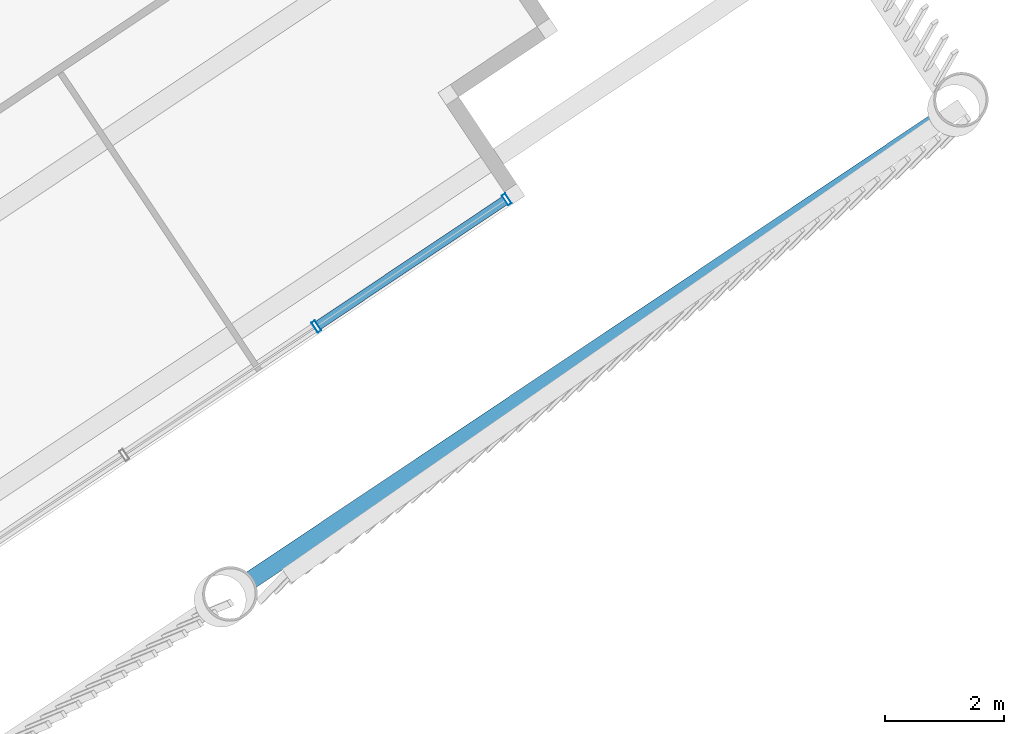
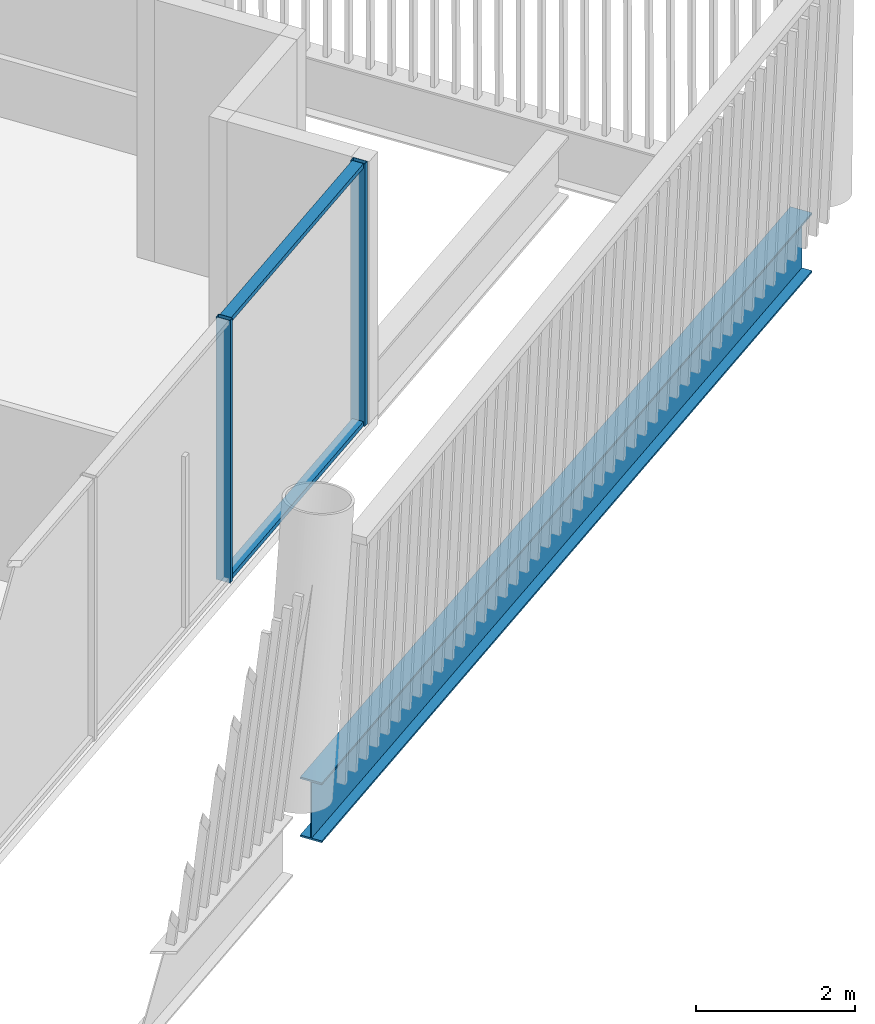
# One storey, part 15 of 28: 4 members, 1 beam, 1 element without a shape of its own.
"""IFC4 building model written with IfcOpenShell, lengths in metres."""

import ifcopenshell
import ifcopenshell.guid

model = None  # the IFC model being written
_history = None  # IfcOwnerHistory: only IFC2X3 demands one
_inside = {}  # id of a spatial element -> (the spatial element, [elements in it])
_under = {}  # id of a project, library or spatial element -> (it, [spatial elements below it])
_declared = {}  # id of a project -> (the project, [libraries it declares])
_typed = {}  # id of a type object -> (the type object, [elements of that type])
_made_of = {}  # id of a material, layer set ... -> (it, [elements and type objects made of it])


def new_model(schema):
    """Start an empty IFC model of exactly this schema.

    Asked for "IFC4X3", IfcOpenShell would pick the latest addendum, in which some entities
    have other attributes; the version numbers below select the first issue.
    IFC2X3 requires an IfcOwnerHistory on every rooted entity: one is made here for all.
    """
    global model, _history
    if schema == "IFC4X3":
        model = ifcopenshell.file(schema_version=(4, 3, 0, 0))
    else:
        model = ifcopenshell.file(schema=schema)
    _inside.clear()
    _under.clear()
    _declared.clear()
    _typed.clear()
    _made_of.clear()
    _history = None
    if model.schema == "IFC2X3":
        org = make("IfcOrganization", Name="unknown")
        user = make(
            "IfcPersonAndOrganization",
            ThePerson=make("IfcPerson", FamilyName="unknown"),
            TheOrganization=org,
        )
        app = make(
            "IfcApplication",
            ApplicationDeveloper=org,
            Version="unknown",
            ApplicationFullName="unknown",
            ApplicationIdentifier="unknown",
        )
        _history = make(
            "IfcOwnerHistory",
            OwningUser=user,
            OwningApplication=app,
            ChangeAction="ADDED",
            CreationDate=0,
        )
    return model


def make(cls, **values):
    """One entity of the class cls with the attributes given. An attribute that is None is left unset."""
    return model.create_entity(
        cls, **{name: value for name, value in values.items() if value is not None}
    )


def rooted(cls, **values):
    """An entity with a GlobalId (a new one), such as an element, a storey or a relation."""
    return make(cls, GlobalId=ifcopenshell.guid.new(), OwnerHistory=_history, **values)


def si_unit(unit_type, name, prefix=None):
    """IfcSIUnit, for example si_unit("LENGTHUNIT", "METRE", prefix="MILLI")."""
    return make("IfcSIUnit", UnitType=unit_type, Prefix=prefix, Name=name)


def assignment(units):
    """IfcUnitAssignment: the units of a project."""
    return None if units is None else make("IfcUnitAssignment", Units=units)


def point(xyz):
    """IfcCartesianPoint."""
    return None if xyz is None else make("IfcCartesianPoint", Coordinates=xyz)


def direction(xyz):
    """IfcDirection."""
    return None if xyz is None else make("IfcDirection", DirectionRatios=xyz)


def frame(location, z_axis=None, x_axis=None):
    """IfcAxis2Placement3D, a coordinate frame: its origin and axes. An axis left out is left unset."""
    return make(
        "IfcAxis2Placement3D",
        Location=point(location),
        Axis=direction(z_axis),
        RefDirection=direction(x_axis),
    )


def frame_2d(location, x_axis=None):
    """IfcAxis2Placement2D, a coordinate frame in the plane: its origin and x axis."""
    return make(
        "IfcAxis2Placement2D", Location=point(location), RefDirection=direction(x_axis)
    )


def origin():
    """The frame at (0, 0, 0) with its axes left unset."""
    return frame((0.0, 0.0, 0.0))


def origin_2d():
    """The frame at (0, 0) in the plane with its x axis left unset."""
    return frame_2d((0.0, 0.0))


def place(relative_to, where):
    """IfcLocalPlacement: puts the frame where relative to a parent placement (None: the world)."""
    return make(
        "IfcLocalPlacement", PlacementRelTo=relative_to, RelativePlacement=where
    )


def context(
    kind, dimensions, precision=None, world=None, true_north=None, identifier=None
):
    """IfcGeometricRepresentationContext, for example the 3D "Model" context."""
    return make(
        "IfcGeometricRepresentationContext",
        ContextIdentifier=identifier,
        ContextType=kind,
        CoordinateSpaceDimension=dimensions,
        Precision=precision,
        WorldCoordinateSystem=world,
        TrueNorth=true_north,
    )


def subcontext(parent, identifier, kind, view, scale=None):
    """IfcGeometricRepresentationSubContext, for example "Body" below "Model"."""
    return make(
        "IfcGeometricRepresentationSubContext",
        ContextIdentifier=identifier,
        ContextType=kind,
        ParentContext=parent,
        TargetScale=scale,
        TargetView=view,
    )


def project(units=None, contexts=None):
    """IfcProject with its units and contexts."""
    return rooted(
        "IfcProject",
        Name="project",
        RepresentationContexts=contexts,
        UnitsInContext=assignment(units),
    )


def spatial(cls, under=None, at=None, **own):
    """A site, building, storey or space (cls), placed at a placement, below another one or the project."""
    s = rooted(cls, ObjectPlacement=at, **own)
    if under is not None:
        _under.setdefault(under.id(), (under, []))[1].append(s)
    return s


def profile(cls, at=None, kind="AREA", **sizes):
    """A parametric profile (cls). Its sizes go by their IFC names, for example OverallWidth=200.0."""
    return make(cls, ProfileType=kind, Position=at, **sizes)


def hollow_rectangle(**sizes):
    """IfcRectangleHollowProfileDef."""
    return profile("IfcRectangleHollowProfileDef", **sizes)


def i_section(**sizes):
    """IfcIShapeProfileDef."""
    return profile("IfcIShapeProfileDef", **sizes)


def extrude(swept, where, along, depth):
    """IfcExtrudedAreaSolid: the profile swept, set in the frame where, extruded along a direction by depth."""
    return make(
        "IfcExtrudedAreaSolid",
        SweptArea=swept,
        Position=where,
        ExtrudedDirection=direction(along),
        Depth=depth,
    )


def shape(context_of_items, identifier, shape_type, items):
    """IfcShapeRepresentation: the items that make up one representation, for example the "Body"."""
    return make(
        "IfcShapeRepresentation",
        ContextOfItems=context_of_items,
        RepresentationIdentifier=identifier,
        RepresentationType=shape_type,
        Items=items,
    )


def material(Name=None, Category=None):
    """IfcMaterial."""
    return make("IfcMaterial", Name=Name, Category=Category)


def layer(
    of_material, thickness, ventilated=None, Name=None, Category=None, Priority=None
):
    """IfcMaterialLayer: one layer of a wall or slab, of a material (None: an air gap)."""
    return make(
        "IfcMaterialLayer",
        Material=of_material,
        LayerThickness=thickness,
        IsVentilated=ventilated,
        Name=Name,
        Category=Category,
        Priority=Priority,
    )


def layer_set(layers, Name=None):
    """IfcMaterialLayerSet."""
    return make("IfcMaterialLayerSet", MaterialLayers=layers, LayerSetName=Name)


def material_profile(
    of_material, cross_section, Name=None, Category=None, Priority=None
):
    """IfcMaterialProfile: a cross section and its material."""
    return make(
        "IfcMaterialProfile",
        Name=Name,
        Material=of_material,
        Profile=cross_section,
        Priority=Priority,
        Category=Category,
    )


def profile_set(profiles, Name=None, composite=None):
    """IfcMaterialProfileSet."""
    return make(
        "IfcMaterialProfileSet",
        Name=Name,
        MaterialProfiles=profiles,
        CompositeProfile=composite,
    )


def made_of(thing, what):
    """Note that an element or type object is made of a material, layer set ...; save() writes the relation."""
    if what is not None:
        _made_of.setdefault(what.id(), (what, []))[1].append(thing)
    return thing


def type_object(cls, material=None, **own):
    """A type object (cls), such as IfcWallType, which elements share."""
    return made_of(rooted(cls, **own), material)


def element(
    cls,
    number,
    at=None,
    inside=None,
    cuts=None,
    type_object=None,
    material=None,
    context=None,
    identifier="Body",
    shape_type=None,
    held_by="IfcProductDefinitionShape",
    body=None,
    shapes=None,
    **own,
):
    """One element of the class cls, such as IfcWall. Its Tag is "e" and its number.

    at: its placement. inside: the storey or other place that contains it. cuts: it is an
    opening in that element (IfcRelVoidsElement). A single representation is given by context,
    identifier, shape_type and body (its items); several are given by shapes. held_by: the class
    of the entity that holds the representations. save() writes the other relations.
    """
    e = rooted(cls, Tag="e%d" % number, ObjectPlacement=at, **own)
    if body is not None:
        shapes = [shape(context, identifier, shape_type, body)]
    if shapes is not None:
        e.Representation = make(held_by, Representations=shapes)
    if inside is not None:
        _inside.setdefault(inside.id(), (inside, []))[1].append(e)
    if cuts is not None:
        rooted(
            "IfcRelVoidsElement", RelatingBuildingElement=cuts, RelatedOpeningElement=e
        )
    if type_object is not None:
        _typed.setdefault(type_object.id(), (type_object, []))[1].append(e)
    return made_of(e, material)


def aggregate(whole, parts):
    """IfcRelAggregates: a whole, such as a stair, and the parts it consists of."""
    return rooted("IfcRelAggregates", RelatingObject=whole, RelatedObjects=parts)


def save(model, path):
    """Write the relations noted so far, then the file.

    IfcRelAggregates (storeys below a building ...), IfcRelContainedInSpatialStructure (elements
    in a storey), IfcRelDefinesByType, IfcRelAssociatesMaterial and IfcRelDeclares: one each for
    every whole, place, type object, material and project.
    """
    for whole, parts in _under.values():
        aggregate(whole, parts)
    for where, things in _inside.values():
        rooted(
            "IfcRelContainedInSpatialStructure",
            RelatedElements=things,
            RelatingStructure=where,
        )
    for kind, things in _typed.values():
        rooted("IfcRelDefinesByType", RelatedObjects=things, RelatingType=kind)
    for what, things in _made_of.values():
        rooted("IfcRelAssociatesMaterial", RelatedObjects=things, RelatingMaterial=what)
    for by, libraries in _declared.values():
        rooted("IfcRelDeclares", RelatingContext=by, RelatedDefinitions=libraries)
    model.write(path)


model = new_model("IFC4")

# Units and contexts
model_context = context("Model", 3, precision=1e-05, world=origin(), true_north=direction((0.0, 1.0)))
body_context = subcontext(model_context, "Body", "Model", "MODEL_VIEW")
ifc_project = project(units=[si_unit("LENGTHUNIT", "METRE"), si_unit("AREAUNIT", "SQUARE_METRE"), si_unit("VOLUMEUNIT", "CUBIC_METRE"), si_unit("PLANEANGLEUNIT", "RADIAN"), si_unit("MASSUNIT", "GRAM", prefix="KILO")], contexts=[model_context])

# Site, building, storey
site_placement = place(None, origin())
site = spatial("IfcSite", under=ifc_project, at=site_placement, CompositionType="ELEMENT")
building_placement = place(site_placement, origin())
building = spatial("IfcBuilding", under=site, at=building_placement, Name="Tarsis Ring Headquarters", CompositionType="ELEMENT")
storey_placement = place(building_placement, frame((0.0, 0.0, 365.0)))
storey = spatial("IfcBuildingStorey", under=building, at=storey_placement, Name="L86", CompositionType="ELEMENT", Elevation=365.0)

# Curtain wall, members
ifc_material_1 = material(Name="Aluminium curtain wall", Category="aluminium")
ifc_layer = layer(ifc_material_1, 0.199951171875)
ifc_layer_set = layer_set([ifc_layer], Name="Curtain wall executive tip")
curtain_wall_type = type_object("IfcCurtainWallType", Name="Curtain wall executive tip", PredefinedType="NOTDEFINED", material=ifc_layer_set)
curtain_wall_placement = place(storey_placement, origin())
curtain_wall = element("IfcCurtainWall", 1, at=curtain_wall_placement, inside=storey, type_object=curtain_wall_type, Name="Curtain wall L86-11", PredefinedType="NOTDEFINED")
ifc_material_2 = material(Name="Aluminium mullion", Category="aluminium")
ifc_material_profile_1 = material_profile(ifc_material_2, hollow_rectangle(XDim=0.199951171875, YDim=0.070068359375, WallThickness=0.0048828125, at=origin_2d()), Name="RHS 200x70x5")
ifc_profile_set_1 = profile_set([ifc_material_profile_1], Name="Aluminium mullion")
member_type_1 = type_object("IfcMemberType", Name="Curtain wall mullion executive tip RHS 200x70x5", PredefinedType="MULLION", material=ifc_profile_set_1)
member_1_placement = place(storey_placement, frame((20.93505859375, -24.3466796875, 0.0), z_axis=(0.0, 0.0, 1.0), x_axis=(-0.555715420705, 0.831372582655, 0.0)))
member_1 = element("IfcMember", 2, at=member_1_placement, type_object=member_type_1, Name="CW-E mullion 4", PredefinedType="MULLION", context=body_context, shape_type="SweptSolid", body=[
    extrude(hollow_rectangle(XDim=0.199951171875, YDim=0.070068359375, WallThickness=0.0048828125, at=origin_2d()), origin(), (0.0, 0.0, 1.0), 4.0400390625),
])
member_2_placement = place(storey_placement, frame((24.12744140625, -22.212646484375, 0.0), z_axis=(0.0, 0.0, 1.0), x_axis=(-0.555715420705, 0.831372582655, 0.0)))
member_2 = element("IfcMember", 3, at=member_2_placement, type_object=member_type_1, Name="CW-E mullion 5", PredefinedType="MULLION", context=body_context, shape_type="SweptSolid", body=[
    extrude(hollow_rectangle(XDim=0.199951171875, YDim=0.070068359375, WallThickness=0.0048828125, at=origin_2d()), origin(), (0.0, 0.0, 1.0), 4.0400390625),
])
ifc_material_3 = material(Name="Aluminium transom", Category="aluminium")
ifc_material_profile_2 = material_profile(ifc_material_3, hollow_rectangle(XDim=0.159912109375, YDim=0.070068359375, WallThickness=0.0048828125, at=origin_2d()), Name="RHS 160x70x5")
ifc_profile_set_2 = profile_set([ifc_material_profile_2], Name="Aluminium transom")
member_type_2 = type_object("IfcMemberType", Name="Curtain wall transom executive tip RHS 160x70x5", PredefinedType="USERDEFINED", material=ifc_profile_set_2)
member_3_placement = place(storey_placement, frame((20.964111328125, -24.3271484375, 0.034912109375), z_axis=(0.831382171104, 0.555701075732, 0.0), x_axis=(-0.555701075732, 0.831382171104, 0.0)))
member_3 = element("IfcMember", 4, at=member_3_placement, type_object=member_type_2, Name="CW-E transom 4.1", ObjectType="TRANSOM", PredefinedType="USERDEFINED", context=body_context, shape_type="SweptSolid", body=[
    extrude(hollow_rectangle(XDim=0.159912109375, YDim=0.070068359375, WallThickness=0.0048828125, at=origin_2d()), origin(), (0.0, 0.0, 1.0), 3.77001953125),
])
member_4_placement = place(storey_placement, frame((20.964111328125, -24.3271484375, 4.0048828125), z_axis=(0.831382171104, 0.555701075732, 0.0), x_axis=(-0.555701075732, 0.831382171104, 0.0)))
member_4 = element("IfcMember", 5, at=member_4_placement, type_object=member_type_2, Name="CW-E transom 4.2", ObjectType="TRANSOM", PredefinedType="USERDEFINED", context=body_context, shape_type="SweptSolid", body=[
    extrude(hollow_rectangle(XDim=0.159912109375, YDim=0.070068359375, WallThickness=0.0048828125, at=origin_2d()), origin(), (0.0, 0.0, 1.0), 3.77001953125),
])
aggregate(curtain_wall, [member_1, member_2, member_3, member_4])

# Beam
ifc_material_4 = material(Name="Structural steel S355", Category="steel")
ifc_material_profile_3 = material_profile(ifc_material_4, i_section(OverallWidth=0.3046875, OverallDepth=0.91943359375, WebThickness=0.017333984375, FlangeThickness=0.02783203125, at=origin_2d()), Name="W36x170")
ifc_profile_set_3 = profile_set([ifc_material_profile_3], Name="Structural steel S355")
beam_type = type_object("IfcBeamType", Name="XG Ring girder W36x170", PredefinedType="BEAM", material=ifc_profile_set_3)
beam_placement = place(storey_placement, frame((19.680908203125, -28.703125, -0.459716796875), z_axis=(0.831369791421, 0.55571959648, 0.0), x_axis=(-0.55571959648, 0.831369791421, 0.0)))
element("IfcBeam", 6, at=beam_placement, inside=storey, type_object=beam_type, Name="Ring girder XG4", PredefinedType="BEAM", context=body_context, shape_type="SweptSolid", body=[
    extrude(i_section(OverallWidth=0.3046875, OverallDepth=0.91943359375, WebThickness=0.017333984375, FlangeThickness=0.02783203125, at=origin_2d()), origin(), (0.0, 0.0, 1.0), 13.97705078125),
])

save(model, "model.ifc")
